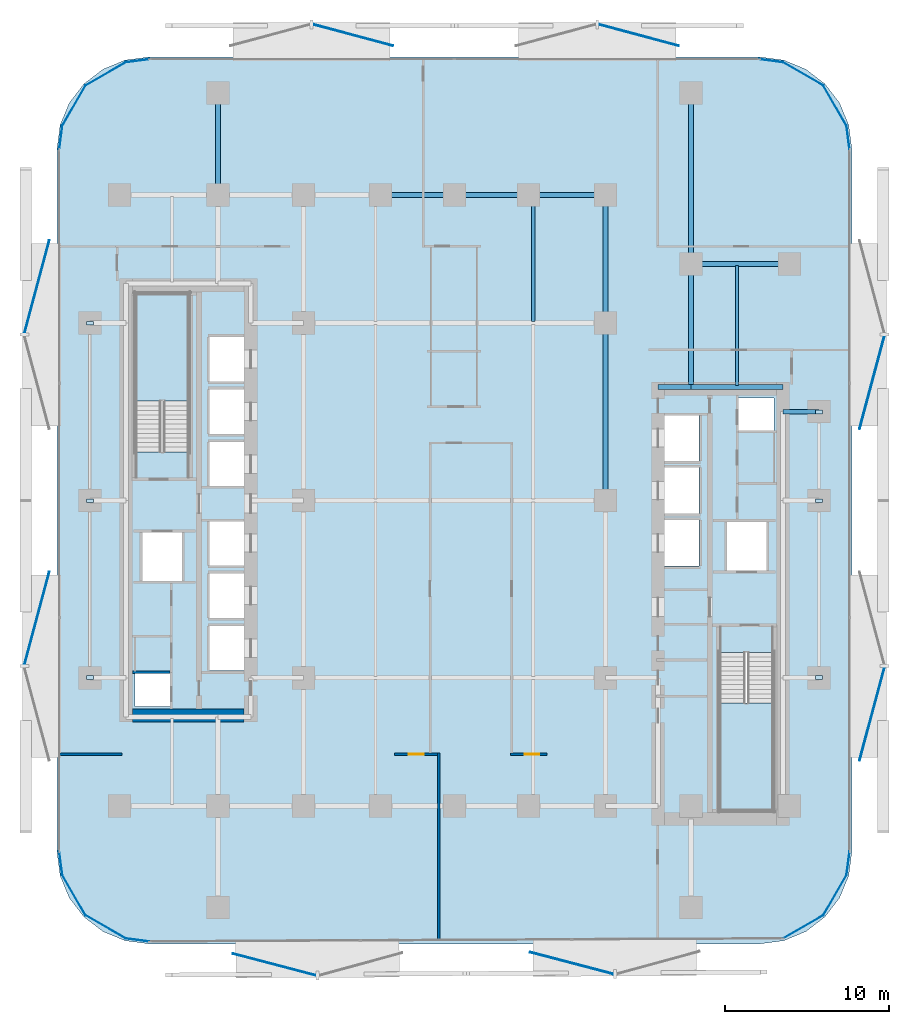
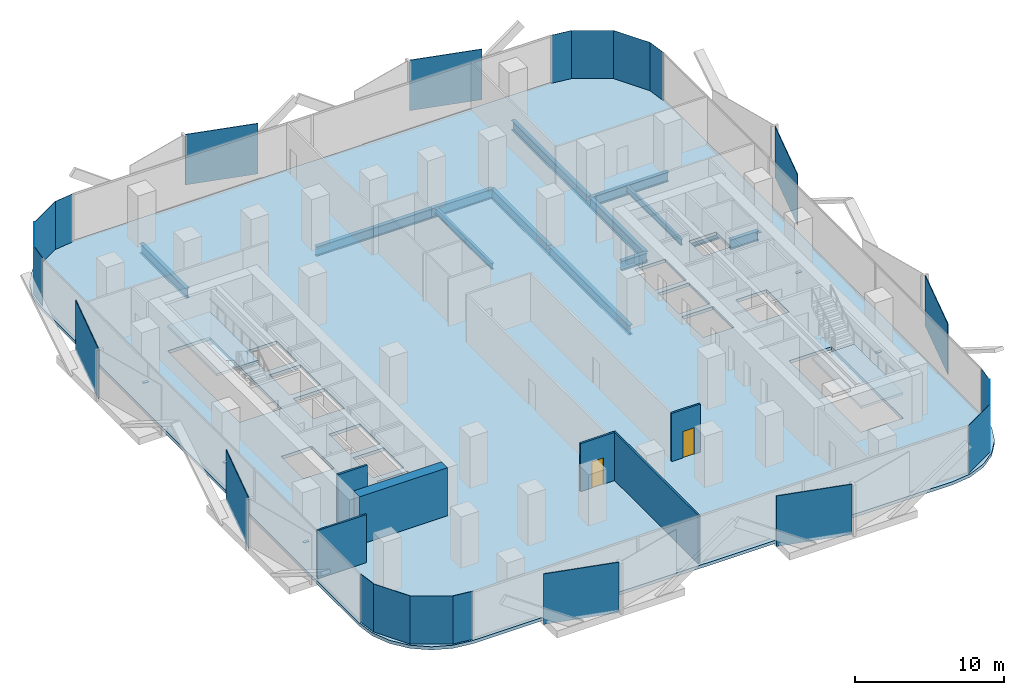
# One storey, part 2 of 15: 29 plates, 14 beams, 6 walls, 3 slabs, 2 doors, 2 openings, 2 elements without a shape of their own.
"""IFC4 building model written with IfcOpenShell, lengths in metres."""

from ifc_helpers import new_model, si_unit, direction, frame, frame_2d, origin, origin_2d, place, context, subcontext, project, spatial, polyline, rectangle, i_section, outline, extrude, material, layer, layer_set, material_profile, profile_set, type_object, element, fill, aggregate, save


model = new_model("IFC4")

# Units and contexts
model_context = context("Model", 3, precision=1e-05, world=origin(), true_north=direction((0.0, 1.0)))
body_context = subcontext(model_context, "Body", "Model", "MODEL_VIEW")
ifc_project = project(units=[si_unit("LENGTHUNIT", "METRE"), si_unit("AREAUNIT", "SQUARE_METRE"), si_unit("VOLUMEUNIT", "CUBIC_METRE"), si_unit("PLANEANGLEUNIT", "RADIAN"), si_unit("MASSUNIT", "GRAM", prefix="KILO")], contexts=[model_context])

# Site, building, storey
site_placement = place(None, origin())
site = spatial("IfcSite", under=ifc_project, at=site_placement, CompositionType="ELEMENT")
building_placement = place(site_placement, origin())
building = spatial("IfcBuilding", under=site, at=building_placement, Name="Khairoan Windgate Tower", CompositionType="ELEMENT")
storey_placement = place(building_placement, frame((0.0, 0.0, 59.60009765625)))
storey = spatial("IfcBuildingStorey", under=building, at=storey_placement, Name="L14", CompositionType="ELEMENT", Elevation=59.60009765625)

# Beams
ifc_material_1 = material(Name="Steel S355", Category="steel")
ifc_material_profile_1 = material_profile(ifc_material_1, i_section(OverallWidth=0.300048828125, OverallDepth=0.800048828125, WebThickness=0.013916015625, FlangeThickness=0.02587890625, FilletRadius=0.028076171875, at=origin_2d()))
ifc_profile_set_1 = profile_set([ifc_material_profile_1], Name="Steel S355")
beam_type_1 = type_object("IfcBeamType", Name="Beam B-G2 H800x300x14x26", PredefinedType="BEAM", material=ifc_profile_set_1)
beam_1_placement = place(storey_placement, frame((20.0, 5.39990234375, -0.66015625), z_axis=(1.0, 0.0, 0.0), x_axis=(0.0, 1.0, 0.0)))
element("IfcBeam", 1, at=beam_1_placement, inside=storey, type_object=beam_type_1, Name="L14 E-W Primary Girder 19", PredefinedType="BEAM", context=body_context, shape_type="SweptSolid", body=[
    extrude(i_section(OverallWidth=0.300048828125, OverallDepth=0.800048828125, WebThickness=0.013916015625, FlangeThickness=0.02587890625, FilletRadius=0.028076171875, at=origin_2d()), origin(), (0.0, 0.0, 1.0), 2.199951171875),
])
beam_2_placement = place(storey_placement, frame((12.39990234375, 6.89990234375, -0.66015625), z_axis=(1.0, 0.0, 0.0), x_axis=(0.0, 1.0, 0.0)))
element("IfcBeam", 2, at=beam_2_placement, inside=storey, type_object=beam_type_1, Name="L14 E-W Primary Girder 20", PredefinedType="BEAM", context=body_context, shape_type="SweptSolid", body=[
    extrude(i_section(OverallWidth=0.300048828125, OverallDepth=0.800048828125, WebThickness=0.013916015625, FlangeThickness=0.02587890625, FilletRadius=0.028076171875, at=origin_2d()), origin(), (0.0, 0.0, 1.0), 2.0),
])
beam_3_placement = place(storey_placement, frame((14.39990234375, 6.89990234375, -0.66015625), z_axis=(1.0, 0.0, 0.0), x_axis=(0.0, 1.0, 0.0)))
element("IfcBeam", 3, at=beam_3_placement, inside=storey, type_object=beam_type_1, Name="L14 E-W Primary Girder 21", PredefinedType="BEAM", context=body_context, shape_type="SweptSolid", body=[
    extrude(i_section(OverallWidth=0.300048828125, OverallDepth=0.800048828125, WebThickness=0.013916015625, FlangeThickness=0.02587890625, FilletRadius=0.028076171875, at=origin_2d()), origin(), (0.0, 0.0, 1.0), 5.60009765625),
])
beam_4_placement = place(storey_placement, frame((14.39990234375, 14.39990234375, -0.66015625), z_axis=(1.0, 0.0, 0.0), x_axis=(0.0, 1.0, 0.0)))
element("IfcBeam", 4, at=beam_4_placement, inside=storey, type_object=beam_type_1, Name="L14 E-W Primary Girder 27", PredefinedType="BEAM", context=body_context, shape_type="SweptSolid", body=[
    extrude(i_section(OverallWidth=0.300048828125, OverallDepth=0.800048828125, WebThickness=0.013916015625, FlangeThickness=0.02587890625, FilletRadius=0.028076171875, at=origin_2d()), origin(), (0.0, 0.0, 1.0), 6.0),
])
for number, where, z_axis, x_axis, name in (
    (5, (-4.5, 18.60009765625, -0.66015625), (1.0, 0.0, 0.0), (0.0, 1.0, 0.0), "L14 E-W Primary Girder 31"),
    (6, (0.0, 18.60009765625, -0.66015625), (1.0, 0.0, 0.0), (0.0, 1.0, 0.0), "L14 E-W Primary Girder 32"),
):
    element("IfcBeam", number, at=place(storey_placement, frame(where, z_axis=z_axis, x_axis=x_axis)), inside=storey, type_object=beam_type_1, Name=name, PredefinedType="BEAM", context=body_context, shape_type="SweptSolid", body=[
        extrude(i_section(OverallWidth=0.300048828125, OverallDepth=0.800048828125, WebThickness=0.013916015625, FlangeThickness=0.02587890625, FilletRadius=0.028076171875, at=origin_2d()), origin(), (0.0, 0.0, 1.0), 4.5),
    ])
beam_5_placement = place(storey_placement, frame((4.5, 18.60009765625, -0.66015625), z_axis=(1.0, 0.0, 0.0), x_axis=(0.0, 1.0, 0.0)))
element("IfcBeam", 7, at=beam_5_placement, inside=storey, type_object=beam_type_1, Name="L14 E-W Primary Girder 33", PredefinedType="BEAM", context=body_context, shape_type="SweptSolid", body=[
    extrude(i_section(OverallWidth=0.300048828125, OverallDepth=0.800048828125, WebThickness=0.013916015625, FlangeThickness=0.02587890625, FilletRadius=0.028076171875, at=origin_2d()), origin(), (0.0, 0.0, 1.0), 4.699951171875),
])
beam_6_placement = place(storey_placement, frame((-14.39990234375, 18.60009765625, -0.66015625), z_axis=(0.0, 1.0, 0.0), x_axis=(-1.0, 0.0, 0.0)))
element("IfcBeam", 8, at=beam_6_placement, inside=storey, type_object=beam_type_1, Name="L14 N-S Primary Beam 43", PredefinedType="BEAM", context=body_context, shape_type="SweptSolid", body=[
    extrude(i_section(OverallWidth=0.300048828125, OverallDepth=0.800048828125, WebThickness=0.013916015625, FlangeThickness=0.02587890625, FilletRadius=0.028076171875, at=origin_2d()), origin(), (0.0, 0.0, 1.0), 6.199951171875),
])
beam_7_placement = place(storey_placement, frame((9.199951171875, 0.0, -0.66015625), z_axis=(0.0, 1.0, 0.0), x_axis=(-1.0, 0.0, 0.0)))
element("IfcBeam", 9, at=beam_7_placement, inside=storey, type_object=beam_type_1, Name="L14 N-S Primary Beam 52", PredefinedType="BEAM", context=body_context, shape_type="SweptSolid", body=[
    extrude(i_section(OverallWidth=0.300048828125, OverallDepth=0.800048828125, WebThickness=0.013916015625, FlangeThickness=0.02587890625, FilletRadius=0.028076171875, at=origin_2d()), origin(), (0.0, 0.0, 1.0), 10.800048828125),
])
beam_8_placement = place(storey_placement, frame((9.199951171875, 10.800048828125, -0.66015625), z_axis=(0.0, 1.0, 0.0), x_axis=(-1.0, 0.0, 0.0)))
element("IfcBeam", 10, at=beam_8_placement, inside=storey, type_object=beam_type_1, Name="L14 N-S Primary Beam 53", PredefinedType="BEAM", context=body_context, shape_type="SweptSolid", body=[
    extrude(i_section(OverallWidth=0.300048828125, OverallDepth=0.800048828125, WebThickness=0.013916015625, FlangeThickness=0.02587890625, FilletRadius=0.028076171875, at=origin_2d()), origin(), (0.0, 0.0, 1.0), 7.800048828125),
])
beam_9_placement = place(storey_placement, frame((14.39990234375, 6.89990234375, -0.66015625), z_axis=(0.0, 1.0, 0.0), x_axis=(-1.0, 0.0, 0.0)))
element("IfcBeam", 11, at=beam_9_placement, inside=storey, type_object=beam_type_1, Name="L14 N-S Primary Beam 56", PredefinedType="BEAM", context=body_context, shape_type="SweptSolid", body=[
    extrude(i_section(OverallWidth=0.300048828125, OverallDepth=0.800048828125, WebThickness=0.013916015625, FlangeThickness=0.02587890625, FilletRadius=0.028076171875, at=origin_2d()), origin(), (0.0, 0.0, 1.0), 7.5),
])
beam_10_placement = place(storey_placement, frame((14.39990234375, 14.39990234375, -0.66015625), z_axis=(0.0, 1.0, 0.0), x_axis=(-1.0, 0.0, 0.0)))
element("IfcBeam", 12, at=beam_10_placement, inside=storey, type_object=beam_type_1, Name="L14 N-S Primary Beam 57", PredefinedType="BEAM", context=body_context, shape_type="SweptSolid", body=[
    extrude(i_section(OverallWidth=0.300048828125, OverallDepth=0.800048828125, WebThickness=0.013916015625, FlangeThickness=0.02587890625, FilletRadius=0.028076171875, at=origin_2d()), origin(), (0.0, 0.0, 1.0), 10.400146484375),
])
ifc_material_2 = material(Name="Steel S355", Category="steel")
ifc_material_profile_2 = material_profile(ifc_material_2, i_section(OverallWidth=0.199951171875, OverallDepth=0.5, WebThickness=0.010009765625, FlangeThickness=0.01611328125, FilletRadius=0.02001953125, at=origin_2d()))
ifc_profile_set_2 = profile_set([ifc_material_profile_2], Name="Steel S355")
beam_type_2 = type_object("IfcBeamType", Name="Beam J-S2 H500x200x10x16", PredefinedType="JOIST", material=ifc_profile_set_2)
beam_11_placement = place(storey_placement, frame((4.800048828125, 10.889892578125, -0.510009765625), z_axis=(0.0, 1.0, 0.0), x_axis=(-1.0, 0.0, 0.0)))
element("IfcBeam", 13, at=beam_11_placement, inside=storey, type_object=beam_type_2, Name="L14 Secondary Floor Joist 10", PredefinedType="JOIST", context=body_context, shape_type="SweptSolid", body=[
    extrude(i_section(OverallWidth=0.199951171875, OverallDepth=0.5, WebThickness=0.010009765625, FlangeThickness=0.01611328125, FilletRadius=0.02001953125, at=origin_2d()), origin(), (0.0, 0.0, 1.0), 7.6201171875),
])
beam_12_placement = place(storey_placement, frame((17.199951171875, 6.989990234375, -0.510009765625), z_axis=(0.0, 1.0, 0.0), x_axis=(-1.0, 0.0, 0.0)))
element("IfcBeam", 14, at=beam_12_placement, inside=storey, type_object=beam_type_2, Name="L14 Secondary Floor Joist 11", PredefinedType="JOIST", context=body_context, shape_type="SweptSolid", body=[
    extrude(i_section(OverallWidth=0.199951171875, OverallDepth=0.5, WebThickness=0.010009765625, FlangeThickness=0.01611328125, FilletRadius=0.02001953125, at=origin_2d()), origin(), (0.0, 0.0, 1.0), 7.320068359375),
])

# Plates
ifc_material_3 = material(Name="Low-E Solar Control Laminated Glass", Category="glass")
ifc_layer_1 = layer(ifc_material_3, 0.030029296875, Name="Low-E Solar Control Laminated Glass")
ifc_layer_set_1 = layer_set([ifc_layer_1], Name="Low-E Solar Control Laminated Glass")
plate_type_1 = type_object("IfcPlateType", Name="Aerodynamic Wind-Corner Curved Glazing Plate", PredefinedType="USERDEFINED", material=ifc_layer_set_1)
plate_placement = place(storey_placement, frame((-19.302001953125, -26.766357421875, 0.0), z_axis=(0.0, 0.0, 1.0), x_axis=(-0.991444861374, 0.13052619222, 0.0)))
element("IfcPlate", 15, at=plate_placement, inside=storey, type_object=plate_type_1, Name="L14 Aerodynamic Wind-Corner Curved Glazing Panel 2", ObjectType="GLAZING PANEL", PredefinedType="USERDEFINED", context=body_context, shape_type="SweptSolid", body=[
    extrude(rectangle(XDim=1.474365234375, YDim=0.028076171875, at=origin_2d()), origin(), (0.0, 0.0, 1.0), 3.93994140625),
])
for number, where, z_axis, x_axis, name in (
    (16, (-21.236328125, -25.96630859375, 0.0), (0.0, 0.0, 1.0), (-0.866025403784, 0.5, 0.0), "L14 Aerodynamic Wind-Corner Curved Glazing Panel 3"),
    (17, (-23.16650390625, -24.03662109375, 0.0), (0.0, 0.0, 1.0), (-0.5, 0.866025403784, 0.0), "L14 Aerodynamic Wind-Corner Curved Glazing Panel 4"),
):
    element("IfcPlate", number, at=place(storey_placement, frame(where, z_axis=z_axis, x_axis=x_axis)), inside=storey, type_object=plate_type_1, Name=name, ObjectType="GLAZING PANEL", PredefinedType="USERDEFINED", context=body_context, shape_type="SweptSolid", body=[
        extrude(rectangle(XDim=2.86572265625, YDim=0.028076171875, at=origin_2d()), origin(), (0.0, 0.0, 1.0), 3.93994140625),
    ])
for number, where, z_axis, x_axis, name in (
    (18, (-23.96630859375, -22.101806640625, 0.0), (0.0, 0.0, 1.0), (-0.13052619222, 0.991444861374, 0.0), "L14 Aerodynamic Wind-Corner Curved Glazing Panel 5"),
    (19, (-23.96630859375, 22.101806640625, 0.0), (0.0, 0.0, 1.0), (0.13052619222, 0.991444861374, 0.0), "L14 Aerodynamic Wind-Corner Curved Glazing Panel 7"),
):
    element("IfcPlate", number, at=place(storey_placement, frame(where, z_axis=z_axis, x_axis=x_axis)), inside=storey, type_object=plate_type_1, Name=name, ObjectType="GLAZING PANEL", PredefinedType="USERDEFINED", context=body_context, shape_type="SweptSolid", body=[
        extrude(rectangle(XDim=1.474365234375, YDim=0.028076171875, at=origin_2d()), origin(), (0.0, 0.0, 1.0), 3.93994140625),
    ])
for number, where, z_axis, x_axis, name in (
    (20, (-23.16650390625, 24.03662109375, 0.0), (0.0, 0.0, 1.0), (0.5, 0.866025403784, 0.0), "L14 Aerodynamic Wind-Corner Curved Glazing Panel 8"),
    (21, (-21.236328125, 25.96630859375, 0.0), (0.0, 0.0, 1.0), (0.866025403784, 0.5, 0.0), "L14 Aerodynamic Wind-Corner Curved Glazing Panel 9"),
):
    element("IfcPlate", number, at=place(storey_placement, frame(where, z_axis=z_axis, x_axis=x_axis)), inside=storey, type_object=plate_type_1, Name=name, ObjectType="GLAZING PANEL", PredefinedType="USERDEFINED", context=body_context, shape_type="SweptSolid", body=[
        extrude(rectangle(XDim=2.86572265625, YDim=0.028076171875, at=origin_2d()), origin(), (0.0, 0.0, 1.0), 3.93994140625),
    ])
for number, where, z_axis, x_axis, name in (
    (22, (-19.302001953125, 26.766357421875, 0.0), (0.0, 0.0, 1.0), (0.991444861374, 0.13052619222, 0.0), "L14 Aerodynamic Wind-Corner Curved Glazing Panel 10"),
    (23, (19.302001953125, 26.766357421875, 0.0), (0.0, 0.0, 1.0), (0.991444861374, -0.13052619222, 0.0), "L14 Aerodynamic Wind-Corner Curved Glazing Panel 12"),
):
    element("IfcPlate", number, at=place(storey_placement, frame(where, z_axis=z_axis, x_axis=x_axis)), inside=storey, type_object=plate_type_1, Name=name, ObjectType="GLAZING PANEL", PredefinedType="USERDEFINED", context=body_context, shape_type="SweptSolid", body=[
        extrude(rectangle(XDim=1.474365234375, YDim=0.028076171875, at=origin_2d()), origin(), (0.0, 0.0, 1.0), 3.93994140625),
    ])
for number, where, z_axis, x_axis, name in (
    (24, (21.236328125, 25.96630859375, 0.0), (0.0, 0.0, 1.0), (0.866025403784, -0.5, 0.0), "L14 Aerodynamic Wind-Corner Curved Glazing Panel 13"),
    (25, (23.16650390625, 24.03662109375, 0.0), (0.0, 0.0, 1.0), (0.5, -0.866025403784, 0.0), "L14 Aerodynamic Wind-Corner Curved Glazing Panel 14"),
):
    element("IfcPlate", number, at=place(storey_placement, frame(where, z_axis=z_axis, x_axis=x_axis)), inside=storey, type_object=plate_type_1, Name=name, ObjectType="GLAZING PANEL", PredefinedType="USERDEFINED", context=body_context, shape_type="SweptSolid", body=[
        extrude(rectangle(XDim=2.86572265625, YDim=0.028076171875, at=origin_2d()), origin(), (0.0, 0.0, 1.0), 3.93994140625),
    ])
for number, where, z_axis, x_axis, name in (
    (26, (23.96630859375, 22.101806640625, 0.0), (0.0, 0.0, 1.0), (0.13052619222, -0.991444861374, 0.0), "L14 Aerodynamic Wind-Corner Curved Glazing Panel 15"),
    (27, (23.96630859375, -22.101806640625, 0.0), (0.0, 0.0, 1.0), (-0.13052619222, -0.991444861374, 0.0), "L14 Aerodynamic Wind-Corner Curved Glazing Panel 17"),
):
    element("IfcPlate", number, at=place(storey_placement, frame(where, z_axis=z_axis, x_axis=x_axis)), inside=storey, type_object=plate_type_1, Name=name, ObjectType="GLAZING PANEL", PredefinedType="USERDEFINED", context=body_context, shape_type="SweptSolid", body=[
        extrude(rectangle(XDim=1.474365234375, YDim=0.028076171875, at=origin_2d()), origin(), (0.0, 0.0, 1.0), 3.93994140625),
    ])
for number, where, z_axis, x_axis, name in (
    (28, (23.16650390625, -24.03662109375, 0.0), (0.0, 0.0, 1.0), (-0.5, -0.866025403784, 0.0), "L14 Aerodynamic Wind-Corner Curved Glazing Panel 18"),
    (29, (21.236328125, -25.96630859375, 0.0), (0.0, 0.0, 1.0), (-0.866025403784, -0.5, 0.0), "L14 Aerodynamic Wind-Corner Curved Glazing Panel 19"),
):
    element("IfcPlate", number, at=place(storey_placement, frame(where, z_axis=z_axis, x_axis=x_axis)), inside=storey, type_object=plate_type_1, Name=name, ObjectType="GLAZING PANEL", PredefinedType="USERDEFINED", context=body_context, shape_type="SweptSolid", body=[
        extrude(rectangle(XDim=2.86572265625, YDim=0.028076171875, at=origin_2d()), origin(), (0.0, 0.0, 1.0), 3.93994140625),
    ])
ifc_material_4 = material(Name="Steel S355", Category="steel")
ifc_layer_2 = layer(ifc_material_4, 0.0400390625, Name="Steel S355")
ifc_layer_set_2 = layer_set([ifc_layer_2], Name="Steel S355")
plate_type_2 = type_object("IfcPlateType", Name="Hollow Section End-Cap Plate PL-CAP40", PredefinedType="SHEET", material=ifc_layer_set_2)
for number, where, z_axis, x_axis, name in (
    (30, (-22.199951171875, -10.784912109375, -0.480224609375), (0.0, 0.0, 1.0), (0.0, 1.0, 0.0), "BM-SP-L14-034 steel end-cap plate 1"),
    (31, (-22.199951171875, -0.014892578125, -0.480224609375), (0.0, 0.0, 1.0), (0.0, 1.0, 0.0), "BM-SP-L14-034 steel end-cap plate 2"),
    (32, (-22.199951171875, 10.784912109375, -0.480224609375), (0.0, 0.0, 1.0), (0.0, 1.0, 0.0), "BM-SP-L14-035 steel end-cap plate 2"),
    (33, (22.199951171875, -10.784912109375, -0.480224609375), (0.0, 0.0, 1.0), (0.0, 1.0, 0.0), "BM-SP-L14-061 steel end-cap plate 1"),
    (34, (22.199951171875, -0.014892578125, -0.480224609375), (0.0, 0.0, 1.0), (0.0, 1.0, 0.0), "BM-SP-L14-061 steel end-cap plate 2"),
    (35, (22.199951171875, 5.385009765625, -0.480224609375), (0.0, 0.0, 1.0), (0.0, 1.0, 0.0), "BM-SP-L14-062 steel end-cap plate 2"),
):
    element("IfcPlate", number, at=place(storey_placement, frame(where, z_axis=z_axis, x_axis=x_axis)), inside=storey, type_object=plate_type_2, Name=name, PredefinedType="SHEET", context=body_context, shape_type="SweptSolid", body=[
        extrude(rectangle(XDim=0.219970703125, YDim=0.419921875, at=origin_2d()), origin(), (0.0, 0.0, 1.0), 0.0400390625),
    ])
ifc_material_5 = material(Name="Anodised Bronze Aluminium 6063-T6", Category="aluminium")
ifc_layer_3 = layer(ifc_material_5, 0.054931640625, Name="Anodised Bronze Aluminium 6063-T6")
ifc_layer_set_3 = layer_set([ifc_layer_3], Name="Anodised Bronze Aluminium 6063-T6")
plate_type_3 = type_object("IfcPlateType", Name="Perforated Bronze Solar Screen Panel BSP-1", PredefinedType="USERDEFINED", material=ifc_layer_set_3)
for number, where, z_axis, x_axis, name in (
    (36, (7.143310546875, -28.17578125, -0.10009765625), (0.0, 0.0, 1.0), (-0.967179115616, 0.254095569259, 0.0), "L14 Perforated Bronze Solar Screen Panel 65R"),
    (37, (-10.95849609375, -28.263671875, -0.10009765625), (0.0, 0.0, 1.0), (-0.967179115616, 0.254095569259, 0.0), "L14 Perforated Bronze Solar Screen Panel 66R"),
):
    element("IfcPlate", number, at=place(storey_placement, frame(where, z_axis=z_axis, x_axis=x_axis)), inside=storey, type_object=plate_type_3, Name=name, ObjectType="SCREEN", PredefinedType="USERDEFINED", context=body_context, shape_type="SweptSolid", body=[
        extrude(rectangle(XDim=5.25, YDim=0.054931640625, at=origin_2d()), origin(), (0.0, 0.0, 1.0), 4.139892578125),
    ])
for number, where, z_axis, x_axis, name in (
    (38, (-25.42236328125, -7.177734375, -0.10009765625), (0.0, 0.0, 1.0), (0.258819045103, 0.965925826289, 0.0), "L14 Perforated Bronze Solar Screen Panel 67R"),
    (39, (-25.42236328125, 13.01318359375, -0.10009765625), (0.0, 0.0, 1.0), (0.258819045103, 0.965925826289, 0.0), "L14 Perforated Bronze Solar Screen Panel 68R"),
):
    element("IfcPlate", number, at=place(storey_placement, frame(where, z_axis=z_axis, x_axis=x_axis)), inside=storey, type_object=plate_type_3, Name=name, ObjectType="SCREEN", PredefinedType="USERDEFINED", context=body_context, shape_type="SweptSolid", body=[
        extrude(rectangle(XDim=5.85498046875, YDim=0.054931640625, at=origin_2d()), origin(), (0.0, 0.0, 1.0), 4.139892578125),
    ])
for number, where, z_axis, x_axis, name in (
    (40, (-6.169921875, 28.327392578125, -0.10009765625), (0.0, 0.0, 1.0), (0.965925826289, -0.258819045103, 0.0), "L14 Perforated Bronze Solar Screen Panel 69R"),
    (41, (11.220947265625, 28.327392578125, -0.10009765625), (0.0, 0.0, 1.0), (0.965925826289, -0.258819045103, 0.0), "L14 Perforated Bronze Solar Screen Panel 70R"),
):
    element("IfcPlate", number, at=place(storey_placement, frame(where, z_axis=z_axis, x_axis=x_axis)), inside=storey, type_object=plate_type_3, Name=name, ObjectType="SCREEN", PredefinedType="USERDEFINED", context=body_context, shape_type="SweptSolid", body=[
        extrude(rectangle(XDim=5.04296875, YDim=0.054931640625, at=origin_2d()), origin(), (0.0, 0.0, 1.0), 4.139892578125),
    ])
for number, where, z_axis, x_axis, name in (
    (42, (25.42236328125, 7.177734375, -0.10009765625), (0.0, 0.0, 1.0), (-0.258819045103, -0.965925826289, 0.0), "L14 Perforated Bronze Solar Screen Panel 71R"),
    (43, (25.42236328125, -13.01318359375, -0.10009765625), (0.0, 0.0, 1.0), (-0.258819045103, -0.965925826289, 0.0), "L14 Perforated Bronze Solar Screen Panel 72R"),
):
    element("IfcPlate", number, at=place(storey_placement, frame(where, z_axis=z_axis, x_axis=x_axis)), inside=storey, type_object=plate_type_3, Name=name, ObjectType="SCREEN", PredefinedType="USERDEFINED", context=body_context, shape_type="SweptSolid", body=[
        extrude(rectangle(XDim=5.85498046875, YDim=0.054931640625, at=origin_2d()), origin(), (0.0, 0.0, 1.0), 4.139892578125),
    ])

# Stair, slab
ifc_material_6 = material(Name="Concrete C40/50", Category="concrete")
stair_type = type_object("IfcStairType", Name="Tower Core Dog-Leg Stair ST-T1 1560mm", PredefinedType="HALF_TURN_STAIR", material=ifc_material_6)
stair_1_placement = place(storey_placement, origin())
stair_1 = element("IfcStair", 44, at=stair_1_placement, inside=storey, type_object=stair_type, Name="L14 Stair ST1", PredefinedType="HALF_TURN_STAIR")
ifc_material_7 = material(Name="Concrete C40/50", Category="concrete")
ifc_layer_4 = layer(ifc_material_7, 0.199951171875, Name="Concrete C40/50")
ifc_layer_set_4 = layer_set([ifc_layer_4], Name="Concrete C40/50")
slab_type_1 = type_object("IfcSlabType", Name="Reinforced Concrete Stair Landing Slab STL-200", PredefinedType="LANDING", material=ifc_layer_set_4)
slab_1_placement = place(storey_placement, frame((0.0, 0.0, 1.89990234375)))
slab_1 = element("IfcSlab", 45, at=slab_1_placement, type_object=slab_type_1, Name="ST1 landing 1", PredefinedType="LANDING", context=body_context, shape_type="SweptSolid", body=[
    extrude(outline(polyline([(16.14990234375, -12.340087890625), (16.14990234375, -18.89990234375), (19.419921875, -18.89990234375), (19.419921875, -12.340087890625), (16.14990234375, -12.340087890625)])), origin(), (0.0, 0.0, 1.0), 0.199951171875),
])
aggregate(stair_1, [slab_1])

stair_2_placement = place(storey_placement, origin())
stair_2 = element("IfcStair", 46, at=stair_2_placement, inside=storey, type_object=stair_type, Name="L14 Stair ST2", PredefinedType="HALF_TURN_STAIR")
slab_2_placement = place(storey_placement, frame((0.0, 0.0, 1.89990234375)))
slab_2 = element("IfcSlab", 47, at=slab_2_placement, type_object=slab_type_1, Name="ST2 landing 1", PredefinedType="LANDING", context=body_context, shape_type="SweptSolid", body=[
    extrude(outline(polyline([(-16.14990234375, 6.0400390625), (-16.14990234375, 12.60009765625), (-19.419921875, 12.60009765625), (-19.419921875, 6.0400390625), (-16.14990234375, 6.0400390625)])), origin(), (0.0, 0.0, 1.0), 0.199951171875),
])
aggregate(stair_2, [slab_2])

# Slab
ifc_material_8 = material(Name="Concrete C40/50", Category="concrete")
ifc_layer_5 = layer(ifc_material_8, 0.260009765625, Name="Concrete C40/50")
ifc_layer_set_5 = layer_set([ifc_layer_5], Name="Concrete C40/50")
slab_type_2 = type_object("IfcSlabType", Name="Tower Composite Floor Slab FS2 260mm", PredefinedType="FLOOR", material=ifc_layer_set_5)
slab_3_placement = place(storey_placement, frame((0.0, 0.0, -0.260009765625)))
element("IfcSlab", 48, at=slab_3_placement, inside=storey, type_object=slab_type_2, Name="L14 Structural Floor Slab", PredefinedType="FLOOR", context=body_context, shape_type="SweptSolid", body=[
    extrude(outline(polyline([(18.60009765625, -27.0), (20.04931640625, -26.80908203125), (21.39990234375, -26.249755859375), (22.559814453125, -25.35986328125), (23.44970703125, -24.199951171875), (24.00927734375, -22.849365234375), (24.199951171875, -21.39990234375), (24.199951171875, 21.39990234375), (24.00927734375, 22.849365234375), (23.44970703125, 24.199951171875), (22.559814453125, 25.35986328125), (21.39990234375, 26.249755859375), (20.04931640625, 26.80908203125), (18.60009765625, 27.0), (-18.60009765625, 27.0), (-20.04931640625, 26.80908203125), (-21.39990234375, 26.249755859375), (-22.559814453125, 25.35986328125), (-23.44970703125, 24.199951171875), (-24.00927734375, 22.849365234375), (-24.199951171875, 21.39990234375), (-24.199951171875, -21.39990234375), (-24.00927734375, -22.849365234375), (-23.44970703125, -24.199951171875), (-22.559814453125, -25.35986328125), (-21.39990234375, -26.249755859375), (-20.04931640625, -26.80908203125), (-18.60009765625, -27.0), (18.60009765625, -27.0)]), holes=[polyline([(16.14990234375, -9.260009765625), (16.14990234375, -18.89990234375), (19.419921875, -18.89990234375), (19.419921875, -9.260009765625), (16.14990234375, -9.260009765625)]), polyline([(-16.14990234375, 2.9599609375), (-16.14990234375, 12.60009765625), (-19.419921875, 12.60009765625), (-19.419921875, 2.9599609375), (-16.14990234375, 2.9599609375)]), polyline([(-14.89990234375, 7.25), (-12.5, 7.25), (-12.5, 9.949951171875), (-14.89990234375, 9.949951171875), (-14.89990234375, 7.25)]), polyline([(-14.89990234375, 4.050048828125), (-12.5, 4.050048828125), (-12.5, 6.75), (-14.89990234375, 6.75), (-14.89990234375, 4.050048828125)]), polyline([(-14.89990234375, 0.85009765625), (-12.5, 0.85009765625), (-12.5, 3.550048828125), (-14.89990234375, 3.550048828125), (-14.89990234375, 0.85009765625)]), polyline([(-14.89990234375, -3.949951171875), (-12.5, -3.949951171875), (-12.5, -1.25), (-14.89990234375, -1.25), (-14.89990234375, -3.949951171875)]), polyline([(-14.89990234375, -7.14990234375), (-12.5, -7.14990234375), (-12.5, -4.449951171875), (-14.89990234375, -4.449951171875), (-14.89990234375, -7.14990234375)]), polyline([(-14.89990234375, -10.35009765625), (-12.5, -10.35009765625), (-12.5, -7.64990234375), (-14.89990234375, -7.64990234375), (-14.89990234375, -10.35009765625)]), polyline([(12.5, 2.39990234375), (14.89990234375, 2.39990234375), (14.89990234375, 5.199951171875), (12.5, 5.199951171875), (12.5, 2.39990234375)]), polyline([(12.5, -0.800048828125), (14.89990234375, -0.800048828125), (14.89990234375, 2.0), (12.5, 2.0), (12.5, -0.800048828125)]), polyline([(12.5, -4.0), (14.89990234375, -4.0), (14.89990234375, -1.199951171875), (12.5, -1.199951171875), (12.5, -4.0)]), polyline([(16.60009765625, -4.300048828125), (19.0, -4.300048828125), (19.0, -1.300048828125), (16.60009765625, -1.300048828125), (16.60009765625, -4.300048828125)]), polyline([(-19.0, -4.89990234375), (-16.60009765625, -4.89990234375), (-16.60009765625, -1.89990234375), (-19.0, -1.89990234375), (-19.0, -4.89990234375)]), polyline([(-19.449951171875, -12.550048828125), (-17.31005859375, -12.550048828125), (-17.31005859375, -10.550048828125), (-19.449951171875, -10.550048828125), (-19.449951171875, -12.550048828125)]), polyline([(17.31005859375, 4.25), (19.449951171875, 4.25), (19.449951171875, 6.25), (17.31005859375, 6.25), (17.31005859375, 4.25)])]), origin(), (0.0, 0.0, 1.0), 0.260009765625),
])

# Walls
ifc_material_9 = material(Name="Acoustic Fire-Rated Gypsum Partition", Category="gypsum")
ifc_layer_6 = layer(ifc_material_9, 0.139892578125, Name="Acoustic Fire-Rated Gypsum Partition")
ifc_layer_set_6 = layer_set([ifc_layer_6], Name="Acoustic Fire-Rated Gypsum Partition")
wall_type_1 = type_object("IfcWallType", Name="Inter-Tenancy Compartment Wall", PredefinedType="PARTITIONING", material=ifc_layer_set_6)
wall_1_placement = place(storey_placement, frame((-24.054931640625, -15.4599609375, 0.0), z_axis=(0.0, 0.0, 1.0), x_axis=(1.0, 0.0, 0.0)))
element("IfcWall", 49, at=wall_1_placement, inside=storey, type_object=wall_type_1, Name="L14 Interior Partition 025", PredefinedType="PARTITIONING", context=body_context, shape_type="SweptSolid", body=[
    extrude(rectangle(XDim=3.81494140625, YDim=0.139892578125, at=frame_2d((1.907470703125, 0.0))), origin(), (0.0, 0.0, 1.0), 3.93994140625),
])
wall_2_placement = place(storey_placement, frame((-0.951904296875, -26.76953125, 0.0), z_axis=(0.0, 0.0, 1.0), x_axis=(0.0, 1.0, 0.0)))
element("IfcWall", 50, at=wall_2_placement, inside=storey, type_object=wall_type_1, Name="L14 Interior Partition 031", PredefinedType="PARTITIONING", context=body_context, shape_type="SweptSolid", body=[
    extrude(rectangle(XDim=11.384521484375, YDim=0.139892578125, at=frame_2d((5.6923828125, 0.0))), origin(), (0.0, 0.0, 1.0), 3.93994140625),
])
ifc_material_10 = material(Name="Concrete C40/50", Category="concrete")
ifc_layer_7 = layer(ifc_material_10, 0.159912109375, Name="Concrete C40/50")
ifc_layer_set_7 = layer_set([ifc_layer_7], Name="Concrete C40/50")
wall_type_2 = type_object("IfcWallType", Name="Plant and Refuge Compartment Wall", PredefinedType="PARTITIONING", material=ifc_layer_set_7)
wall_3_placement = place(storey_placement, frame((-19.60009765625, -10.469970703125, 0.0), z_axis=(0.0, 0.0, 1.0), x_axis=(1.0, 0.0, 0.0)))
element("IfcWall", 51, at=wall_3_placement, inside=storey, type_object=wall_type_2, Name="L14 Interior Partition 004", PredefinedType="PARTITIONING", context=body_context, shape_type="SweptSolid", body=[
    extrude(rectangle(XDim=2.2900390625, YDim=0.159912109375, at=frame_2d((1.14501953125, 0.0))), origin(), (0.0, 0.0, 1.0), 3.93994140625),
])

# Wall, opening, door
ifc_material_11 = material(Name="Acoustic Fire-Rated Gypsum Partition", Category="gypsum")
ifc_layer_8 = layer(ifc_material_11, 0.14990234375, Name="Acoustic Fire-Rated Gypsum Partition")
ifc_layer_set_8 = layer_set([ifc_layer_8], Name="Acoustic Fire-Rated Gypsum Partition")
wall_type_3 = type_object("IfcWallType", Name="Rated Corridor Partition Wall", PredefinedType="PARTITIONING", material=ifc_layer_set_8)
wall_4_placement = place(storey_placement, frame((-3.639892578125, -15.4599609375, 0.0), z_axis=(0.0, 0.0, 1.0), x_axis=(1.0, 0.0, 0.0)))
wall_4 = element("IfcWall", 52, at=wall_4_placement, inside=storey, type_object=wall_type_3, Name="L14 Interior Partition 016", PredefinedType="PARTITIONING", context=body_context, shape_type="SweptSolid", body=[
    extrude(rectangle(XDim=2.617919921875, YDim=0.14990234375, at=frame_2d((1.30908203125, 0.0))), origin(), (0.0, 0.0, 1.0), 3.93994140625),
])
opening_1_placement = place(wall_4_placement, frame((0.8701171875, 0.0, 0.0)))
opening_1 = element("IfcOpeningElement", 53, at=opening_1_placement, cuts=wall_4, Name="Opening FD-ENT", PredefinedType="OPENING", context=body_context, shape_type="SweptSolid", body=[
    extrude(rectangle(XDim=0.89990234375, YDim=2.14990234375, at=frame_2d((0.449951171875, 1.074951171875))), frame((0.0, 0.0849609375, 0.0), z_axis=(0.0, -1.0, 0.0), x_axis=(1.0, 0.0, 0.0)), (0.0, 0.0, 1.0), 0.169921875),
])
ifc_material_12 = material(Name="Timber Fire-Rated Core", Category="wood")
door_type = type_object("IfcDoorType", Name="Unit and Office Fire Entrance Door FD-ENT 900x2150", OperationType="NOTDEFINED", PredefinedType="DOOR", material=ifc_material_12)
door_1_placement = place(opening_1_placement, origin())
door_1 = element("IfcDoor", 54, at=door_1_placement, inside=storey, type_object=door_type, Name="L14 L14-34-L14-44 Door", OperationType="SINGLE_SWING_RIGHT", OverallHeight=2.14990234375, OverallWidth=0.89990234375, PredefinedType="DOOR", context=body_context, shape_type="SweptSolid", body=[
    extrude(rectangle(XDim=0.89990234375, YDim=2.14990234375, at=frame_2d((0.449951171875, 1.074951171875))), frame((0.0, 0.02490234375, 0.0), z_axis=(0.0, -1.0, 0.0), x_axis=(1.0, 0.0, 0.0)), (0.0, 0.0, 1.0), 0.050048828125),
])
fill(opening_1, door_1)

wall_5_placement = place(storey_placement, frame((3.409912109375, -15.4599609375, 0.0), z_axis=(0.0, 0.0, 1.0), x_axis=(1.0, 0.0, 0.0)))
wall_5 = element("IfcWall", 55, at=wall_5_placement, inside=storey, type_object=wall_type_3, Name="L14 Interior Partition 018", PredefinedType="PARTITIONING", context=body_context, shape_type="SweptSolid", body=[
    extrude(rectangle(XDim=2.22998046875, YDim=0.14990234375, at=frame_2d((1.114990234375, 0.0))), origin(), (0.0, 0.0, 1.0), 3.93994140625),
])
opening_2_placement = place(wall_5_placement, frame((0.8701171875, 0.0, 0.0)))
opening_2 = element("IfcOpeningElement", 56, at=opening_2_placement, cuts=wall_5, Name="Opening FD-ENT", PredefinedType="OPENING", context=body_context, shape_type="SweptSolid", body=[
    extrude(rectangle(XDim=0.89990234375, YDim=2.14990234375, at=frame_2d((0.449951171875, 1.074951171875))), frame((0.0, 0.0849609375, 0.0), z_axis=(0.0, -1.0, 0.0), x_axis=(1.0, 0.0, 0.0)), (0.0, 0.0, 1.0), 0.169921875),
])
door_2_placement = place(opening_2_placement, origin())
door_2 = element("IfcDoor", 57, at=door_2_placement, inside=storey, type_object=door_type, Name="L14 L14-35-L14-45 Door", OperationType="SINGLE_SWING_RIGHT", OverallHeight=2.14990234375, OverallWidth=0.89990234375, PredefinedType="DOOR", context=body_context, shape_type="SweptSolid", body=[
    extrude(rectangle(XDim=0.89990234375, YDim=2.14990234375, at=frame_2d((0.449951171875, 1.074951171875))), frame((0.0, 0.02490234375, 0.0), z_axis=(0.0, -1.0, 0.0), x_axis=(1.0, 0.0, 0.0)), (0.0, 0.0, 1.0), 0.050048828125),
])
fill(opening_2, door_2)

# Wall
ifc_material_13 = material(Name="Concrete C70/85", Category="concrete")
ifc_layer_9 = layer(ifc_material_13, 0.800048828125, Name="Concrete C70/85")
ifc_layer_set_9 = layer_set([ifc_layer_9], Name="Concrete C70/85")
wall_type_4 = type_object("IfcWallType", Name="Shear Wall CW-W1 800mm", PredefinedType="SHEAR", material=ifc_layer_set_9)
wall_6_placement = place(storey_placement, frame((-19.60009765625, -13.10009765625, 0.0), z_axis=(0.0, 0.0, 1.0), x_axis=(1.0, 0.0, 0.0)))
element("IfcWall", 58, at=wall_6_placement, inside=storey, type_object=wall_type_4, Name="W Core South Shear Wall L14", PredefinedType="SHEAR", context=body_context, shape_type="SweptSolid", body=[
    extrude(rectangle(XDim=6.800048828125, YDim=0.800048828125, at=frame_2d((3.39990234375, 0.0))), origin(), (0.0, 0.0, 1.0), 3.93994140625),
])

save(model, "model.ifc")
